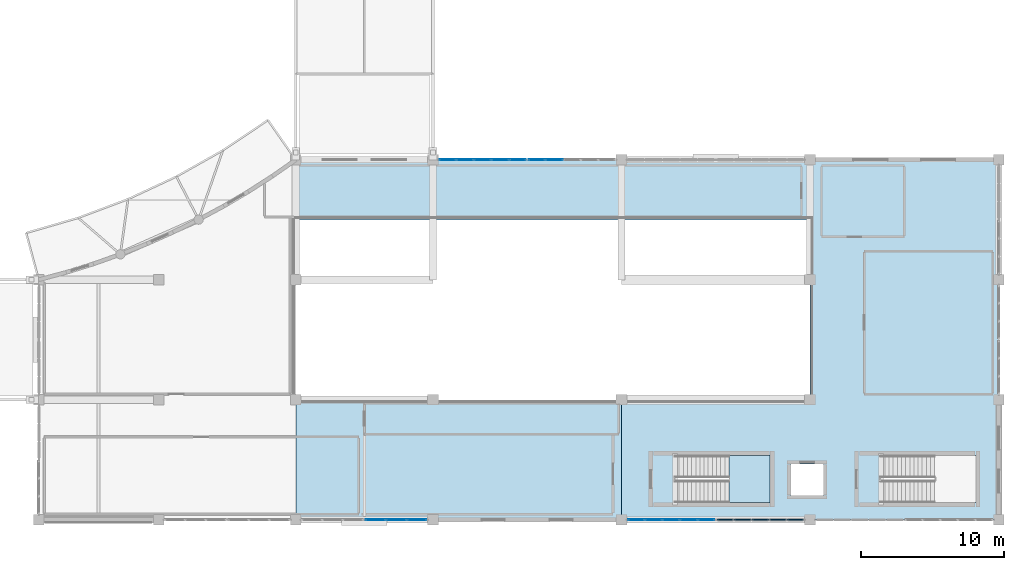
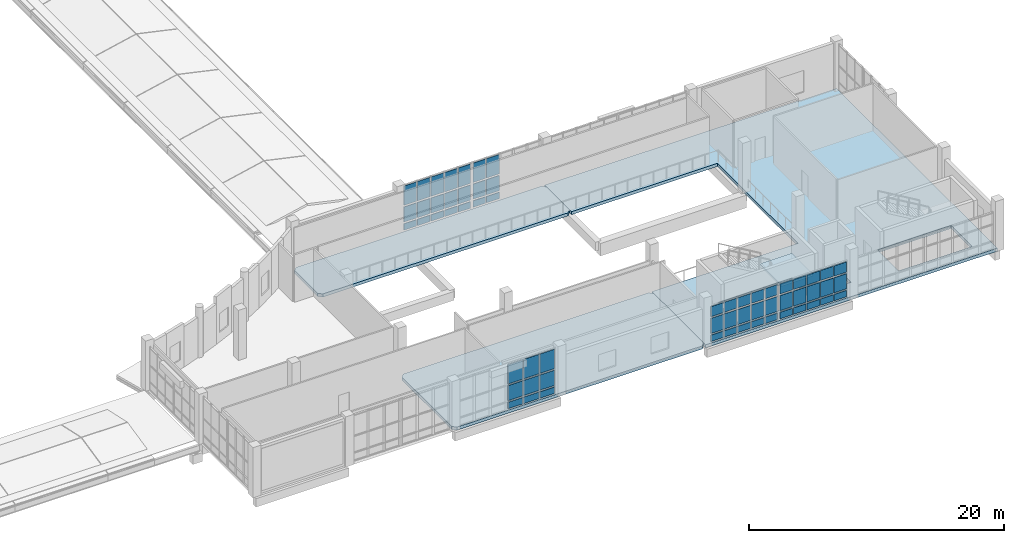
# One storey, part 74 of 106: 60 plates, 4 slabs, 6 elements without a shape of their own.
"""IFC4 building model written with IfcOpenShell, lengths in metres."""

from ifc_helpers import new_model, si_unit, direction, frame, origin, origin_2d, place, context, subcontext, project, spatial, polyline, rectangle, outline, extrude, material, layer, layer_set, type_object, element, aggregate, save


model = new_model("IFC4")

# Units and contexts
model_context = context("Model", 3, precision=1e-05, world=origin(), true_north=direction((0.0, 1.0)))
body_context = subcontext(model_context, "Body", "Model", "MODEL_VIEW")
ifc_project = project(units=[si_unit("LENGTHUNIT", "METRE"), si_unit("AREAUNIT", "SQUARE_METRE"), si_unit("VOLUMEUNIT", "CUBIC_METRE"), si_unit("PLANEANGLEUNIT", "RADIAN"), si_unit("MASSUNIT", "GRAM", prefix="KILO")], contexts=[model_context])

# Site, building, storey
site_placement = place(None, origin())
site = spatial("IfcSite", under=ifc_project, at=site_placement, CompositionType="ELEMENT")
building_placement = place(site_placement, origin())
building = spatial("IfcBuilding", under=site, at=building_placement, Name="Kisaragi Civic Commons", CompositionType="ELEMENT")
storey_placement = place(building_placement, frame((0.0, 0.0, 4.800048828125)))
storey = spatial("IfcBuildingStorey", under=building, at=storey_placement, Name="L01", CompositionType="ELEMENT", Elevation=4.800048828125)

# Curtain wall, plates
ifc_material_1 = material(Name="Thermally broken anodized aluminium and low-E double glazing", Category="aluminium")
ifc_layer_1 = layer(ifc_material_1, 0.2099609375, Name="Thermally broken anodized aluminium and low-E double glazing", Category="aluminium")
ifc_layer_set_1 = layer_set([ifc_layer_1], Name="Thermally broken anodized aluminium and low-E double glazing")
curtain_wall_type = type_object("IfcCurtainWallType", Name="CW-02", PredefinedType="NOTDEFINED", material=ifc_layer_set_1)
curtain_wall_1_placement = place(storey_placement, origin())
curtain_wall_1 = element("IfcCurtainWall", 1, at=curtain_wall_1_placement, inside=storey, type_object=curtain_wall_type, Name="L01 curtain wall CW-02 CW-V3-L01-030", PredefinedType="NOTDEFINED")
ifc_layer_2 = layer(ifc_material_1, 0.0439453125, Name="Thermally broken anodized aluminium and low-E double glazing", Category="aluminium")
ifc_layer_set_2 = layer_set([ifc_layer_2], Name="Thermally broken anodized aluminium and low-E double glazing")
plate_type_1 = type_object("IfcPlateType", Name="CWP-01", PredefinedType="CURTAIN_PANEL", material=ifc_layer_set_2)
plate_1_placement = place(storey_placement, frame((152.325439453125, 0.0, 0.15966796875), z_axis=(0.0, 0.0, 1.0), x_axis=(-1.0, 0.0, 0.0)))
plate_1 = element("IfcPlate", 2, at=plate_1_placement, type_object=plate_type_1, Name="CW-02 panel 1.1", PredefinedType="CURTAIN_PANEL", context=body_context, shape_type="SweptSolid", body=[
    extrude(rectangle(XDim=1.12890625, YDim=0.0439453125, at=origin_2d()), origin(), (0.0, 0.0, 1.0), 0.610107421875),
])
plate_2_placement = place(storey_placement, frame((152.325439453125, 0.0, 0.929931640625), z_axis=(0.0, 0.0, 1.0), x_axis=(-1.0, 0.0, 0.0)))
plate_2 = element("IfcPlate", 3, at=plate_2_placement, type_object=plate_type_1, Name="CW-02 panel 1.2", PredefinedType="CURTAIN_PANEL", context=body_context, shape_type="SweptSolid", body=[
    extrude(rectangle(XDim=1.12890625, YDim=0.0439453125, at=origin_2d()), origin(), (0.0, 0.0, 1.0), 1.43994140625),
])
plate_3_placement = place(storey_placement, frame((152.325439453125, 0.0, 2.52978515625), z_axis=(0.0, 0.0, 1.0), x_axis=(-1.0, 0.0, 0.0)))
plate_3 = element("IfcPlate", 4, at=plate_3_placement, type_object=plate_type_1, Name="CW-02 panel 1.3", PredefinedType="CURTAIN_PANEL", context=body_context, shape_type="SweptSolid", body=[
    extrude(rectangle(XDim=1.12890625, YDim=0.0439453125, at=origin_2d()), origin(), (0.0, 0.0, 1.0), 0.965087890625),
])
plate_4_placement = place(storey_placement, frame((151.10888671875, 0.0, 0.15966796875), z_axis=(0.0, 0.0, 1.0), x_axis=(-1.0, 0.0, 0.0)))
plate_4 = element("IfcPlate", 5, at=plate_4_placement, type_object=plate_type_1, Name="CW-02 panel 2.1", PredefinedType="CURTAIN_PANEL", context=body_context, shape_type="SweptSolid", body=[
    extrude(rectangle(XDim=1.1640625, YDim=0.0439453125, at=origin_2d()), origin(), (0.0, 0.0, 1.0), 0.610107421875),
])
plate_5_placement = place(storey_placement, frame((151.10888671875, 0.0, 0.929931640625), z_axis=(0.0, 0.0, 1.0), x_axis=(-1.0, 0.0, 0.0)))
plate_5 = element("IfcPlate", 6, at=plate_5_placement, type_object=plate_type_1, Name="CW-02 panel 2.2", PredefinedType="CURTAIN_PANEL", context=body_context, shape_type="SweptSolid", body=[
    extrude(rectangle(XDim=1.1640625, YDim=0.0439453125, at=origin_2d()), origin(), (0.0, 0.0, 1.0), 1.43994140625),
])
plate_6_placement = place(storey_placement, frame((151.10888671875, 0.0, 2.52978515625), z_axis=(0.0, 0.0, 1.0), x_axis=(-1.0, 0.0, 0.0)))
plate_6 = element("IfcPlate", 7, at=plate_6_placement, type_object=plate_type_1, Name="CW-02 panel 2.3", PredefinedType="CURTAIN_PANEL", context=body_context, shape_type="SweptSolid", body=[
    extrude(rectangle(XDim=1.1640625, YDim=0.0439453125, at=origin_2d()), origin(), (0.0, 0.0, 1.0), 0.965087890625),
])
plate_7_placement = place(storey_placement, frame((149.875, 0.0, 0.15966796875), z_axis=(0.0, 0.0, 1.0), x_axis=(-1.0, 0.0, 0.0)))
plate_7 = element("IfcPlate", 8, at=plate_7_placement, type_object=plate_type_1, Name="CW-02 panel 3.1", PredefinedType="CURTAIN_PANEL", context=body_context, shape_type="SweptSolid", body=[
    extrude(rectangle(XDim=1.1640625, YDim=0.0439453125, at=origin_2d()), origin(), (0.0, 0.0, 1.0), 0.610107421875),
])
plate_8_placement = place(storey_placement, frame((149.875, 0.0, 0.929931640625), z_axis=(0.0, 0.0, 1.0), x_axis=(-1.0, 0.0, 0.0)))
plate_8 = element("IfcPlate", 9, at=plate_8_placement, type_object=plate_type_1, Name="CW-02 panel 3.2", PredefinedType="CURTAIN_PANEL", context=body_context, shape_type="SweptSolid", body=[
    extrude(rectangle(XDim=1.1640625, YDim=0.0439453125, at=origin_2d()), origin(), (0.0, 0.0, 1.0), 1.43994140625),
])
plate_9_placement = place(storey_placement, frame((149.875, 0.0, 2.52978515625), z_axis=(0.0, 0.0, 1.0), x_axis=(-1.0, 0.0, 0.0)))
plate_9 = element("IfcPlate", 10, at=plate_9_placement, type_object=plate_type_1, Name="CW-02 panel 3.3", PredefinedType="CURTAIN_PANEL", context=body_context, shape_type="SweptSolid", body=[
    extrude(rectangle(XDim=1.1640625, YDim=0.0439453125, at=origin_2d()), origin(), (0.0, 0.0, 1.0), 0.965087890625),
])
plate_10_placement = place(storey_placement, frame((148.64111328125, 0.0, 0.15966796875), z_axis=(0.0, 0.0, 1.0), x_axis=(-1.0, 0.0, 0.0)))
plate_10 = element("IfcPlate", 11, at=plate_10_placement, type_object=plate_type_1, Name="CW-02 panel 4.1", PredefinedType="CURTAIN_PANEL", context=body_context, shape_type="SweptSolid", body=[
    extrude(rectangle(XDim=1.1640625, YDim=0.0439453125, at=origin_2d()), origin(), (0.0, 0.0, 1.0), 0.610107421875),
])
plate_11_placement = place(storey_placement, frame((148.64111328125, 0.0, 0.929931640625), z_axis=(0.0, 0.0, 1.0), x_axis=(-1.0, 0.0, 0.0)))
plate_11 = element("IfcPlate", 12, at=plate_11_placement, type_object=plate_type_1, Name="CW-02 panel 4.2", PredefinedType="CURTAIN_PANEL", context=body_context, shape_type="SweptSolid", body=[
    extrude(rectangle(XDim=1.1640625, YDim=0.0439453125, at=origin_2d()), origin(), (0.0, 0.0, 1.0), 1.43994140625),
])
plate_12_placement = place(storey_placement, frame((148.64111328125, 0.0, 2.52978515625), z_axis=(0.0, 0.0, 1.0), x_axis=(-1.0, 0.0, 0.0)))
plate_12 = element("IfcPlate", 13, at=plate_12_placement, type_object=plate_type_1, Name="CW-02 panel 4.3", PredefinedType="CURTAIN_PANEL", context=body_context, shape_type="SweptSolid", body=[
    extrude(rectangle(XDim=1.1640625, YDim=0.0439453125, at=origin_2d()), origin(), (0.0, 0.0, 1.0), 0.965087890625),
])
plate_13_placement = place(storey_placement, frame((147.424560546875, 0.0, 0.15966796875), z_axis=(0.0, 0.0, 1.0), x_axis=(-1.0, 0.0, 0.0)))
plate_13 = element("IfcPlate", 14, at=plate_13_placement, type_object=plate_type_1, Name="CW-02 panel 5.1", PredefinedType="CURTAIN_PANEL", context=body_context, shape_type="SweptSolid", body=[
    extrude(rectangle(XDim=1.12890625, YDim=0.0439453125, at=origin_2d()), origin(), (0.0, 0.0, 1.0), 0.610107421875),
])
plate_14_placement = place(storey_placement, frame((147.424560546875, 0.0, 0.929931640625), z_axis=(0.0, 0.0, 1.0), x_axis=(-1.0, 0.0, 0.0)))
plate_14 = element("IfcPlate", 15, at=plate_14_placement, type_object=plate_type_1, Name="CW-02 panel 5.2", PredefinedType="CURTAIN_PANEL", context=body_context, shape_type="SweptSolid", body=[
    extrude(rectangle(XDim=1.12890625, YDim=0.0439453125, at=origin_2d()), origin(), (0.0, 0.0, 1.0), 1.43994140625),
])
plate_15_placement = place(storey_placement, frame((147.424560546875, 0.0, 2.52978515625), z_axis=(0.0, 0.0, 1.0), x_axis=(-1.0, 0.0, 0.0)))
plate_15 = element("IfcPlate", 16, at=plate_15_placement, type_object=plate_type_1, Name="CW-02 panel 5.3", PredefinedType="CURTAIN_PANEL", context=body_context, shape_type="SweptSolid", body=[
    extrude(rectangle(XDim=1.12890625, YDim=0.0439453125, at=origin_2d()), origin(), (0.0, 0.0, 1.0), 0.965087890625),
])
aggregate(curtain_wall_1, [plate_1, plate_2, plate_3, plate_4, plate_5, plate_6, plate_7, plate_8, plate_9, plate_10, plate_11, plate_12, plate_13, plate_14, plate_15])

curtain_wall_2_placement = place(storey_placement, origin())
curtain_wall_2 = element("IfcCurtainWall", 17, at=curtain_wall_2_placement, inside=storey, type_object=curtain_wall_type, Name="L01 curtain wall CW-02 CW-V3-L01-031", PredefinedType="NOTDEFINED")
ifc_layer_3 = layer(ifc_material_1, 0.052001953125, Name="Thermally broken anodized aluminium and low-E double glazing", Category="aluminium")
ifc_layer_set_3 = layer_set([ifc_layer_3], Name="Thermally broken anodized aluminium and low-E double glazing")
plate_type_2 = type_object("IfcPlateType", Name="CWP-02", PredefinedType="CURTAIN_PANEL", material=ifc_layer_set_3)
plate_16_placement = place(storey_placement, frame((132.064208984375, 0.0, 0.15966796875), z_axis=(0.0, 0.0, 1.0), x_axis=(-1.0, 0.0, 0.0)))
plate_16 = element("IfcPlate", 18, at=plate_16_placement, type_object=plate_type_2, Name="CW-02 panel 1.1", PredefinedType="CURTAIN_PANEL", context=body_context, shape_type="SweptSolid", body=[
    extrude(rectangle(XDim=1.3515625, YDim=0.052001953125, at=origin_2d()), origin(), (0.0, 0.0, 1.0), 0.610107421875),
])
plate_17_placement = place(storey_placement, frame((132.064208984375, 0.0, 0.929931640625), z_axis=(0.0, 0.0, 1.0), x_axis=(-1.0, 0.0, 0.0)))
plate_17 = element("IfcPlate", 19, at=plate_17_placement, type_object=plate_type_2, Name="CW-02 panel 1.2", PredefinedType="CURTAIN_PANEL", context=body_context, shape_type="SweptSolid", body=[
    extrude(rectangle(XDim=1.3515625, YDim=0.052001953125, at=origin_2d()), origin(), (0.0, 0.0, 1.0), 1.43994140625),
])
plate_18_placement = place(storey_placement, frame((132.064208984375, 0.0, 2.52978515625), z_axis=(0.0, 0.0, 1.0), x_axis=(-1.0, 0.0, 0.0)))
plate_18 = element("IfcPlate", 20, at=plate_18_placement, type_object=plate_type_2, Name="CW-02 panel 1.3", PredefinedType="CURTAIN_PANEL", context=body_context, shape_type="SweptSolid", body=[
    extrude(rectangle(XDim=1.3515625, YDim=0.052001953125, at=origin_2d()), origin(), (0.0, 0.0, 1.0), 1.85009765625),
])
plate_19_placement = place(storey_placement, frame((130.625, 0.0, 0.15966796875), z_axis=(0.0, 0.0, 1.0), x_axis=(-1.0, 0.0, 0.0)))
plate_19 = element("IfcPlate", 21, at=plate_19_placement, type_object=plate_type_2, Name="CW-02 panel 2.1", PredefinedType="CURTAIN_PANEL", context=body_context, shape_type="SweptSolid", body=[
    extrude(rectangle(XDim=1.38671875, YDim=0.052001953125, at=origin_2d()), origin(), (0.0, 0.0, 1.0), 0.610107421875),
])
plate_20_placement = place(storey_placement, frame((130.625, 0.0, 0.929931640625), z_axis=(0.0, 0.0, 1.0), x_axis=(-1.0, 0.0, 0.0)))
plate_20 = element("IfcPlate", 22, at=plate_20_placement, type_object=plate_type_2, Name="CW-02 panel 2.2", PredefinedType="CURTAIN_PANEL", context=body_context, shape_type="SweptSolid", body=[
    extrude(rectangle(XDim=1.38671875, YDim=0.052001953125, at=origin_2d()), origin(), (0.0, 0.0, 1.0), 1.43994140625),
])
plate_21_placement = place(storey_placement, frame((130.625, 0.0, 2.52978515625), z_axis=(0.0, 0.0, 1.0), x_axis=(-1.0, 0.0, 0.0)))
plate_21 = element("IfcPlate", 23, at=plate_21_placement, type_object=plate_type_2, Name="CW-02 panel 2.3", PredefinedType="CURTAIN_PANEL", context=body_context, shape_type="SweptSolid", body=[
    extrude(rectangle(XDim=1.38671875, YDim=0.052001953125, at=origin_2d()), origin(), (0.0, 0.0, 1.0), 1.85009765625),
])
plate_22_placement = place(storey_placement, frame((129.185791015625, 0.0, 0.15966796875), z_axis=(0.0, 0.0, 1.0), x_axis=(-1.0, 0.0, 0.0)))
plate_22 = element("IfcPlate", 24, at=plate_22_placement, type_object=plate_type_2, Name="CW-02 panel 3.1", PredefinedType="CURTAIN_PANEL", context=body_context, shape_type="SweptSolid", body=[
    extrude(rectangle(XDim=1.3515625, YDim=0.052001953125, at=origin_2d()), origin(), (0.0, 0.0, 1.0), 0.610107421875),
])
plate_23_placement = place(storey_placement, frame((129.185791015625, 0.0, 0.929931640625), z_axis=(0.0, 0.0, 1.0), x_axis=(-1.0, 0.0, 0.0)))
plate_23 = element("IfcPlate", 25, at=plate_23_placement, type_object=plate_type_2, Name="CW-02 panel 3.2", PredefinedType="CURTAIN_PANEL", context=body_context, shape_type="SweptSolid", body=[
    extrude(rectangle(XDim=1.3515625, YDim=0.052001953125, at=origin_2d()), origin(), (0.0, 0.0, 1.0), 1.43994140625),
])
plate_24_placement = place(storey_placement, frame((129.185791015625, 0.0, 2.52978515625), z_axis=(0.0, 0.0, 1.0), x_axis=(-1.0, 0.0, 0.0)))
plate_24 = element("IfcPlate", 26, at=plate_24_placement, type_object=plate_type_2, Name="CW-02 panel 3.3", PredefinedType="CURTAIN_PANEL", context=body_context, shape_type="SweptSolid", body=[
    extrude(rectangle(XDim=1.3515625, YDim=0.052001953125, at=origin_2d()), origin(), (0.0, 0.0, 1.0), 1.85009765625),
])
aggregate(curtain_wall_2, [plate_16, plate_17, plate_18, plate_19, plate_20, plate_21, plate_22, plate_23, plate_24])

curtain_wall_3_placement = place(storey_placement, origin())
curtain_wall_3 = element("IfcCurtainWall", 27, at=curtain_wall_3_placement, inside=storey, type_object=curtain_wall_type, Name="L01 curtain wall CW-02 CW-V3-L01-019", PredefinedType="NOTDEFINED")
ifc_layer_4 = layer(ifc_material_1, 0.055908203125, Name="Thermally broken anodized aluminium and low-E double glazing", Category="aluminium")
ifc_layer_set_4 = layer_set([ifc_layer_4], Name="Thermally broken anodized aluminium and low-E double glazing")
plate_type_3 = type_object("IfcPlateType", Name="CWP-06", PredefinedType="CURTAIN_PANEL", material=ifc_layer_set_4)
plate_25_placement = place(storey_placement, frame((134.224609375, 25.199951171875, 0.15966796875), z_axis=(0.0, 0.0, 1.0), x_axis=(1.0, 0.0, 0.0)))
plate_25 = element("IfcPlate", 28, at=plate_25_placement, type_object=plate_type_3, Name="CW-02 panel 1.1", PredefinedType="CURTAIN_PANEL", context=body_context, shape_type="SweptSolid", body=[
    extrude(rectangle(XDim=1.12890625, YDim=0.055908203125, at=origin_2d()), origin(), (0.0, 0.0, 1.0), 0.610107421875),
])
plate_26_placement = place(storey_placement, frame((134.224609375, 25.199951171875, 0.929931640625), z_axis=(0.0, 0.0, 1.0), x_axis=(1.0, 0.0, 0.0)))
plate_26 = element("IfcPlate", 29, at=plate_26_placement, type_object=plate_type_3, Name="CW-02 panel 1.2", PredefinedType="CURTAIN_PANEL", context=body_context, shape_type="SweptSolid", body=[
    extrude(rectangle(XDim=1.12890625, YDim=0.055908203125, at=origin_2d()), origin(), (0.0, 0.0, 1.0), 1.43994140625),
])
plate_27_placement = place(storey_placement, frame((134.224609375, 25.199951171875, 2.52978515625), z_axis=(0.0, 0.0, 1.0), x_axis=(1.0, 0.0, 0.0)))
plate_27 = element("IfcPlate", 30, at=plate_27_placement, type_object=plate_type_3, Name="CW-02 panel 1.3", PredefinedType="CURTAIN_PANEL", context=body_context, shape_type="SweptSolid", body=[
    extrude(rectangle(XDim=1.12890625, YDim=0.055908203125, at=origin_2d()), origin(), (0.0, 0.0, 1.0), 1.85009765625),
])
plate_28_placement = place(storey_placement, frame((135.44091796875, 25.199951171875, 0.15966796875), z_axis=(0.0, 0.0, 1.0), x_axis=(1.0, 0.0, 0.0)))
plate_28 = element("IfcPlate", 31, at=plate_28_placement, type_object=plate_type_3, Name="CW-02 panel 2.1", PredefinedType="CURTAIN_PANEL", context=body_context, shape_type="SweptSolid", body=[
    extrude(rectangle(XDim=1.1640625, YDim=0.055908203125, at=origin_2d()), origin(), (0.0, 0.0, 1.0), 0.610107421875),
])
plate_29_placement = place(storey_placement, frame((135.44091796875, 25.199951171875, 0.929931640625), z_axis=(0.0, 0.0, 1.0), x_axis=(1.0, 0.0, 0.0)))
plate_29 = element("IfcPlate", 32, at=plate_29_placement, type_object=plate_type_3, Name="CW-02 panel 2.2", PredefinedType="CURTAIN_PANEL", context=body_context, shape_type="SweptSolid", body=[
    extrude(rectangle(XDim=1.1640625, YDim=0.055908203125, at=origin_2d()), origin(), (0.0, 0.0, 1.0), 1.43994140625),
])
plate_30_placement = place(storey_placement, frame((135.44091796875, 25.199951171875, 2.52978515625), z_axis=(0.0, 0.0, 1.0), x_axis=(1.0, 0.0, 0.0)))
plate_30 = element("IfcPlate", 33, at=plate_30_placement, type_object=plate_type_3, Name="CW-02 panel 2.3", PredefinedType="CURTAIN_PANEL", context=body_context, shape_type="SweptSolid", body=[
    extrude(rectangle(XDim=1.1640625, YDim=0.055908203125, at=origin_2d()), origin(), (0.0, 0.0, 1.0), 1.85009765625),
])
plate_31_placement = place(storey_placement, frame((136.675048828125, 25.199951171875, 0.15966796875), z_axis=(0.0, 0.0, 1.0), x_axis=(1.0, 0.0, 0.0)))
plate_31 = element("IfcPlate", 34, at=plate_31_placement, type_object=plate_type_3, Name="CW-02 panel 3.1", PredefinedType="CURTAIN_PANEL", context=body_context, shape_type="SweptSolid", body=[
    extrude(rectangle(XDim=1.1640625, YDim=0.055908203125, at=origin_2d()), origin(), (0.0, 0.0, 1.0), 0.610107421875),
])
plate_32_placement = place(storey_placement, frame((136.675048828125, 25.199951171875, 0.929931640625), z_axis=(0.0, 0.0, 1.0), x_axis=(1.0, 0.0, 0.0)))
plate_32 = element("IfcPlate", 35, at=plate_32_placement, type_object=plate_type_3, Name="CW-02 panel 3.2", PredefinedType="CURTAIN_PANEL", context=body_context, shape_type="SweptSolid", body=[
    extrude(rectangle(XDim=1.1640625, YDim=0.055908203125, at=origin_2d()), origin(), (0.0, 0.0, 1.0), 1.43994140625),
])
plate_33_placement = place(storey_placement, frame((136.675048828125, 25.199951171875, 2.52978515625), z_axis=(0.0, 0.0, 1.0), x_axis=(1.0, 0.0, 0.0)))
plate_33 = element("IfcPlate", 36, at=plate_33_placement, type_object=plate_type_3, Name="CW-02 panel 3.3", PredefinedType="CURTAIN_PANEL", context=body_context, shape_type="SweptSolid", body=[
    extrude(rectangle(XDim=1.1640625, YDim=0.055908203125, at=origin_2d()), origin(), (0.0, 0.0, 1.0), 1.85009765625),
])
plate_34_placement = place(storey_placement, frame((137.908935546875, 25.199951171875, 0.15966796875), z_axis=(0.0, 0.0, 1.0), x_axis=(1.0, 0.0, 0.0)))
plate_34 = element("IfcPlate", 37, at=plate_34_placement, type_object=plate_type_3, Name="CW-02 panel 4.1", PredefinedType="CURTAIN_PANEL", context=body_context, shape_type="SweptSolid", body=[
    extrude(rectangle(XDim=1.1640625, YDim=0.055908203125, at=origin_2d()), origin(), (0.0, 0.0, 1.0), 0.610107421875),
])
plate_35_placement = place(storey_placement, frame((137.908935546875, 25.199951171875, 0.929931640625), z_axis=(0.0, 0.0, 1.0), x_axis=(1.0, 0.0, 0.0)))
plate_35 = element("IfcPlate", 38, at=plate_35_placement, type_object=plate_type_3, Name="CW-02 panel 4.2", PredefinedType="CURTAIN_PANEL", context=body_context, shape_type="SweptSolid", body=[
    extrude(rectangle(XDim=1.1640625, YDim=0.055908203125, at=origin_2d()), origin(), (0.0, 0.0, 1.0), 1.43994140625),
])
plate_36_placement = place(storey_placement, frame((137.908935546875, 25.199951171875, 2.52978515625), z_axis=(0.0, 0.0, 1.0), x_axis=(1.0, 0.0, 0.0)))
plate_36 = element("IfcPlate", 39, at=plate_36_placement, type_object=plate_type_3, Name="CW-02 panel 4.3", PredefinedType="CURTAIN_PANEL", context=body_context, shape_type="SweptSolid", body=[
    extrude(rectangle(XDim=1.1640625, YDim=0.055908203125, at=origin_2d()), origin(), (0.0, 0.0, 1.0), 1.85009765625),
])
plate_37_placement = place(storey_placement, frame((139.12548828125, 25.199951171875, 0.15966796875), z_axis=(0.0, 0.0, 1.0), x_axis=(1.0, 0.0, 0.0)))
plate_37 = element("IfcPlate", 40, at=plate_37_placement, type_object=plate_type_3, Name="CW-02 panel 5.1", PredefinedType="CURTAIN_PANEL", context=body_context, shape_type="SweptSolid", body=[
    extrude(rectangle(XDim=1.12890625, YDim=0.055908203125, at=origin_2d()), origin(), (0.0, 0.0, 1.0), 0.610107421875),
])
plate_38_placement = place(storey_placement, frame((139.12548828125, 25.199951171875, 0.929931640625), z_axis=(0.0, 0.0, 1.0), x_axis=(1.0, 0.0, 0.0)))
plate_38 = element("IfcPlate", 41, at=plate_38_placement, type_object=plate_type_3, Name="CW-02 panel 5.2", PredefinedType="CURTAIN_PANEL", context=body_context, shape_type="SweptSolid", body=[
    extrude(rectangle(XDim=1.12890625, YDim=0.055908203125, at=origin_2d()), origin(), (0.0, 0.0, 1.0), 1.43994140625),
])
plate_39_placement = place(storey_placement, frame((139.12548828125, 25.199951171875, 2.52978515625), z_axis=(0.0, 0.0, 1.0), x_axis=(1.0, 0.0, 0.0)))
plate_39 = element("IfcPlate", 42, at=plate_39_placement, type_object=plate_type_3, Name="CW-02 panel 5.3", PredefinedType="CURTAIN_PANEL", context=body_context, shape_type="SweptSolid", body=[
    extrude(rectangle(XDim=1.12890625, YDim=0.055908203125, at=origin_2d()), origin(), (0.0, 0.0, 1.0), 1.85009765625),
])
aggregate(curtain_wall_3, [plate_25, plate_26, plate_27, plate_28, plate_29, plate_30, plate_31, plate_32, plate_33, plate_34, plate_35, plate_36, plate_37, plate_38, plate_39])

curtain_wall_4_placement = place(storey_placement, origin())
curtain_wall_4 = element("IfcCurtainWall", 43, at=curtain_wall_4_placement, inside=storey, type_object=curtain_wall_type, Name="L01 curtain wall CW-02 CW-V3-L01-020", PredefinedType="NOTDEFINED")
ifc_layer_5 = layer(ifc_material_1, 0.06005859375, Name="Thermally broken anodized aluminium and low-E double glazing", Category="aluminium")
ifc_layer_set_5 = layer_set([ifc_layer_5], Name="Thermally broken anodized aluminium and low-E double glazing")
plate_type_4 = type_object("IfcPlateType", Name="CWP-07", PredefinedType="CURTAIN_PANEL", material=ifc_layer_set_5)
plate_40_placement = place(storey_placement, frame((140.474609375, 25.199951171875, 0.15966796875), z_axis=(0.0, 0.0, 1.0), x_axis=(1.0, 0.0, 0.0)))
plate_40 = element("IfcPlate", 44, at=plate_40_placement, type_object=plate_type_4, Name="CW-02 panel 1.1", PredefinedType="CURTAIN_PANEL", context=body_context, shape_type="SweptSolid", body=[
    extrude(rectangle(XDim=1.12890625, YDim=0.06005859375, at=origin_2d()), origin(), (0.0, 0.0, 1.0), 0.610107421875),
])
plate_41_placement = place(storey_placement, frame((140.474609375, 25.199951171875, 0.929931640625), z_axis=(0.0, 0.0, 1.0), x_axis=(1.0, 0.0, 0.0)))
plate_41 = element("IfcPlate", 45, at=plate_41_placement, type_object=plate_type_4, Name="CW-02 panel 1.2", PredefinedType="CURTAIN_PANEL", context=body_context, shape_type="SweptSolid", body=[
    extrude(rectangle(XDim=1.12890625, YDim=0.06005859375, at=origin_2d()), origin(), (0.0, 0.0, 1.0), 1.43994140625),
])
plate_42_placement = place(storey_placement, frame((140.474609375, 25.199951171875, 2.52978515625), z_axis=(0.0, 0.0, 1.0), x_axis=(1.0, 0.0, 0.0)))
plate_42 = element("IfcPlate", 46, at=plate_42_placement, type_object=plate_type_4, Name="CW-02 panel 1.3", PredefinedType="CURTAIN_PANEL", context=body_context, shape_type="SweptSolid", body=[
    extrude(rectangle(XDim=1.12890625, YDim=0.06005859375, at=origin_2d()), origin(), (0.0, 0.0, 1.0), 1.85009765625),
])
plate_43_placement = place(storey_placement, frame((141.69091796875, 25.199951171875, 0.15966796875), z_axis=(0.0, 0.0, 1.0), x_axis=(1.0, 0.0, 0.0)))
plate_43 = element("IfcPlate", 47, at=plate_43_placement, type_object=plate_type_4, Name="CW-02 panel 2.1", PredefinedType="CURTAIN_PANEL", context=body_context, shape_type="SweptSolid", body=[
    extrude(rectangle(XDim=1.1640625, YDim=0.06005859375, at=origin_2d()), origin(), (0.0, 0.0, 1.0), 0.610107421875),
])
plate_44_placement = place(storey_placement, frame((141.69091796875, 25.199951171875, 0.929931640625), z_axis=(0.0, 0.0, 1.0), x_axis=(1.0, 0.0, 0.0)))
plate_44 = element("IfcPlate", 48, at=plate_44_placement, type_object=plate_type_4, Name="CW-02 panel 2.2", PredefinedType="CURTAIN_PANEL", context=body_context, shape_type="SweptSolid", body=[
    extrude(rectangle(XDim=1.1640625, YDim=0.06005859375, at=origin_2d()), origin(), (0.0, 0.0, 1.0), 1.43994140625),
])
plate_45_placement = place(storey_placement, frame((141.69091796875, 25.199951171875, 2.52978515625), z_axis=(0.0, 0.0, 1.0), x_axis=(1.0, 0.0, 0.0)))
plate_45 = element("IfcPlate", 49, at=plate_45_placement, type_object=plate_type_4, Name="CW-02 panel 2.3", PredefinedType="CURTAIN_PANEL", context=body_context, shape_type="SweptSolid", body=[
    extrude(rectangle(XDim=1.1640625, YDim=0.06005859375, at=origin_2d()), origin(), (0.0, 0.0, 1.0), 1.85009765625),
])
aggregate(curtain_wall_4, [plate_40, plate_41, plate_42, plate_43, plate_44, plate_45])

curtain_wall_5_placement = place(storey_placement, origin())
curtain_wall_5 = element("IfcCurtainWall", 50, at=curtain_wall_5_placement, inside=storey, type_object=curtain_wall_type, Name="L01 curtain wall CW-02 CW-V3-L01-029", PredefinedType="NOTDEFINED")
ifc_layer_6 = layer(ifc_material_1, 0.077880859375, Name="Thermally broken anodized aluminium and low-E double glazing", Category="aluminium")
ifc_layer_set_6 = layer_set([ifc_layer_6], Name="Thermally broken anodized aluminium and low-E double glazing")
plate_type_5 = type_object("IfcPlateType", Name="CWP-18", PredefinedType="CURTAIN_PANEL", material=ifc_layer_set_6)
plate_46_placement = place(storey_placement, frame((158.575439453125, 0.0, 0.15966796875), z_axis=(0.0, 0.0, 1.0), x_axis=(-1.0, 0.0, 0.0)))
plate_46 = element("IfcPlate", 51, at=plate_46_placement, type_object=plate_type_5, Name="CW-02 panel 1.1", PredefinedType="CURTAIN_PANEL", context=body_context, shape_type="SweptSolid", body=[
    extrude(rectangle(XDim=1.12890625, YDim=0.077880859375, at=origin_2d()), origin(), (0.0, 0.0, 1.0), 0.610107421875),
])
plate_47_placement = place(storey_placement, frame((158.575439453125, 0.0, 0.929931640625), z_axis=(0.0, 0.0, 1.0), x_axis=(-1.0, 0.0, 0.0)))
plate_47 = element("IfcPlate", 52, at=plate_47_placement, type_object=plate_type_5, Name="CW-02 panel 1.2", PredefinedType="CURTAIN_PANEL", context=body_context, shape_type="SweptSolid", body=[
    extrude(rectangle(XDim=1.12890625, YDim=0.077880859375, at=origin_2d()), origin(), (0.0, 0.0, 1.0), 1.43994140625),
])
plate_48_placement = place(storey_placement, frame((158.575439453125, 0.0, 2.52978515625), z_axis=(0.0, 0.0, 1.0), x_axis=(-1.0, 0.0, 0.0)))
plate_48 = element("IfcPlate", 53, at=plate_48_placement, type_object=plate_type_5, Name="CW-02 panel 1.3", PredefinedType="CURTAIN_PANEL", context=body_context, shape_type="SweptSolid", body=[
    extrude(rectangle(XDim=1.12890625, YDim=0.077880859375, at=origin_2d()), origin(), (0.0, 0.0, 1.0), 0.965087890625),
])
plate_49_placement = place(storey_placement, frame((157.35888671875, 0.0, 0.15966796875), z_axis=(0.0, 0.0, 1.0), x_axis=(-1.0, 0.0, 0.0)))
plate_49 = element("IfcPlate", 54, at=plate_49_placement, type_object=plate_type_5, Name="CW-02 panel 2.1", PredefinedType="CURTAIN_PANEL", context=body_context, shape_type="SweptSolid", body=[
    extrude(rectangle(XDim=1.1640625, YDim=0.077880859375, at=origin_2d()), origin(), (0.0, 0.0, 1.0), 0.610107421875),
])
plate_50_placement = place(storey_placement, frame((157.35888671875, 0.0, 0.929931640625), z_axis=(0.0, 0.0, 1.0), x_axis=(-1.0, 0.0, 0.0)))
plate_50 = element("IfcPlate", 55, at=plate_50_placement, type_object=plate_type_5, Name="CW-02 panel 2.2", PredefinedType="CURTAIN_PANEL", context=body_context, shape_type="SweptSolid", body=[
    extrude(rectangle(XDim=1.1640625, YDim=0.077880859375, at=origin_2d()), origin(), (0.0, 0.0, 1.0), 1.43994140625),
])
plate_51_placement = place(storey_placement, frame((157.35888671875, 0.0, 2.52978515625), z_axis=(0.0, 0.0, 1.0), x_axis=(-1.0, 0.0, 0.0)))
plate_51 = element("IfcPlate", 56, at=plate_51_placement, type_object=plate_type_5, Name="CW-02 panel 2.3", PredefinedType="CURTAIN_PANEL", context=body_context, shape_type="SweptSolid", body=[
    extrude(rectangle(XDim=1.1640625, YDim=0.077880859375, at=origin_2d()), origin(), (0.0, 0.0, 1.0), 0.965087890625),
])
plate_52_placement = place(storey_placement, frame((156.125, 0.0, 0.15966796875), z_axis=(0.0, 0.0, 1.0), x_axis=(-1.0, 0.0, 0.0)))
plate_52 = element("IfcPlate", 57, at=plate_52_placement, type_object=plate_type_5, Name="CW-02 panel 3.1", PredefinedType="CURTAIN_PANEL", context=body_context, shape_type="SweptSolid", body=[
    extrude(rectangle(XDim=1.1640625, YDim=0.077880859375, at=origin_2d()), origin(), (0.0, 0.0, 1.0), 0.610107421875),
])
plate_53_placement = place(storey_placement, frame((156.125, 0.0, 0.929931640625), z_axis=(0.0, 0.0, 1.0), x_axis=(-1.0, 0.0, 0.0)))
plate_53 = element("IfcPlate", 58, at=plate_53_placement, type_object=plate_type_5, Name="CW-02 panel 3.2", PredefinedType="CURTAIN_PANEL", context=body_context, shape_type="SweptSolid", body=[
    extrude(rectangle(XDim=1.1640625, YDim=0.077880859375, at=origin_2d()), origin(), (0.0, 0.0, 1.0), 1.43994140625),
])
plate_54_placement = place(storey_placement, frame((156.125, 0.0, 2.52978515625), z_axis=(0.0, 0.0, 1.0), x_axis=(-1.0, 0.0, 0.0)))
plate_54 = element("IfcPlate", 59, at=plate_54_placement, type_object=plate_type_5, Name="CW-02 panel 3.3", PredefinedType="CURTAIN_PANEL", context=body_context, shape_type="SweptSolid", body=[
    extrude(rectangle(XDim=1.1640625, YDim=0.077880859375, at=origin_2d()), origin(), (0.0, 0.0, 1.0), 0.965087890625),
])
plate_55_placement = place(storey_placement, frame((154.89111328125, 0.0, 0.15966796875), z_axis=(0.0, 0.0, 1.0), x_axis=(-1.0, 0.0, 0.0)))
plate_55 = element("IfcPlate", 60, at=plate_55_placement, type_object=plate_type_5, Name="CW-02 panel 4.1", PredefinedType="CURTAIN_PANEL", context=body_context, shape_type="SweptSolid", body=[
    extrude(rectangle(XDim=1.1640625, YDim=0.077880859375, at=origin_2d()), origin(), (0.0, 0.0, 1.0), 0.610107421875),
])
plate_56_placement = place(storey_placement, frame((154.89111328125, 0.0, 0.929931640625), z_axis=(0.0, 0.0, 1.0), x_axis=(-1.0, 0.0, 0.0)))
plate_56 = element("IfcPlate", 61, at=plate_56_placement, type_object=plate_type_5, Name="CW-02 panel 4.2", PredefinedType="CURTAIN_PANEL", context=body_context, shape_type="SweptSolid", body=[
    extrude(rectangle(XDim=1.1640625, YDim=0.077880859375, at=origin_2d()), origin(), (0.0, 0.0, 1.0), 1.43994140625),
])
plate_57_placement = place(storey_placement, frame((154.89111328125, 0.0, 2.52978515625), z_axis=(0.0, 0.0, 1.0), x_axis=(-1.0, 0.0, 0.0)))
plate_57 = element("IfcPlate", 62, at=plate_57_placement, type_object=plate_type_5, Name="CW-02 panel 4.3", PredefinedType="CURTAIN_PANEL", context=body_context, shape_type="SweptSolid", body=[
    extrude(rectangle(XDim=1.1640625, YDim=0.077880859375, at=origin_2d()), origin(), (0.0, 0.0, 1.0), 0.965087890625),
])
plate_58_placement = place(storey_placement, frame((153.674560546875, 0.0, 0.15966796875), z_axis=(0.0, 0.0, 1.0), x_axis=(-1.0, 0.0, 0.0)))
plate_58 = element("IfcPlate", 63, at=plate_58_placement, type_object=plate_type_5, Name="CW-02 panel 5.1", PredefinedType="CURTAIN_PANEL", context=body_context, shape_type="SweptSolid", body=[
    extrude(rectangle(XDim=1.12890625, YDim=0.077880859375, at=origin_2d()), origin(), (0.0, 0.0, 1.0), 0.610107421875),
])
plate_59_placement = place(storey_placement, frame((153.674560546875, 0.0, 0.929931640625), z_axis=(0.0, 0.0, 1.0), x_axis=(-1.0, 0.0, 0.0)))
plate_59 = element("IfcPlate", 64, at=plate_59_placement, type_object=plate_type_5, Name="CW-02 panel 5.2", PredefinedType="CURTAIN_PANEL", context=body_context, shape_type="SweptSolid", body=[
    extrude(rectangle(XDim=1.12890625, YDim=0.077880859375, at=origin_2d()), origin(), (0.0, 0.0, 1.0), 1.43994140625),
])
plate_60_placement = place(storey_placement, frame((153.674560546875, 0.0, 2.52978515625), z_axis=(0.0, 0.0, 1.0), x_axis=(-1.0, 0.0, 0.0)))
plate_60 = element("IfcPlate", 65, at=plate_60_placement, type_object=plate_type_5, Name="CW-02 panel 5.3", PredefinedType="CURTAIN_PANEL", context=body_context, shape_type="SweptSolid", body=[
    extrude(rectangle(XDim=1.12890625, YDim=0.077880859375, at=origin_2d()), origin(), (0.0, 0.0, 1.0), 0.965087890625),
])
aggregate(curtain_wall_5, [plate_46, plate_47, plate_48, plate_49, plate_50, plate_51, plate_52, plate_53, plate_54, plate_55, plate_56, plate_57, plate_58, plate_59, plate_60])

# Slabs
ifc_material_2 = material(Name="Concrete Fc30", Category="concrete")
ifc_layer_7 = layer(ifc_material_2, 0.2919921875, Name="Concrete Fc30", Category="concrete")
ifc_layer_set_7 = layer_set([ifc_layer_7], Name="Concrete Fc30")
slab_type_1 = type_object("IfcSlabType", Name="SL-F1B", PredefinedType="FLOOR", material=ifc_layer_set_7)
slab_1_placement = place(storey_placement, frame((0.0, 0.0, -0.2919921875)))
element("IfcSlab", 66, at=slab_1_placement, inside=storey, type_object=slab_type_1, Name="V3 L01 slab SL-F1B 26", PredefinedType="FLOOR", context=body_context, shape_type="SweptSolid", body=[
    extrude(outline(polyline([(123.89990234375, 21.0), (146.10009765625, 21.0), (146.39990234375, 21.300048828125), (146.39990234375, 24.89990234375), (146.10009765625, 25.199951171875), (123.89990234375, 25.199951171875), (123.60009765625, 24.89990234375), (123.60009765625, 21.300048828125), (123.89990234375, 21.0)])), origin(), (0.0, 0.0, 1.0), 0.2919921875),
])
slab_2_placement = place(storey_placement, frame((0.0, 0.0, -0.2919921875)))
element("IfcSlab", 67, at=slab_2_placement, inside=storey, type_object=slab_type_1, Name="V3 L01 slab SL-F1B 27", PredefinedType="FLOOR", context=body_context, shape_type="SweptSolid", body=[
    extrude(outline(polyline([(123.89990234375, 0.0), (146.10009765625, 0.0), (146.39990234375, 0.300048828125), (146.39990234375, 8.10009765625), (146.10009765625, 8.39990234375), (123.89990234375, 8.39990234375), (123.60009765625, 8.10009765625), (123.60009765625, 0.300048828125), (123.89990234375, 0.0)])), origin(), (0.0, 0.0, 1.0), 0.2919921875),
])
slab_3_placement = place(storey_placement, frame((0.0, 0.0, -0.2919921875)))
element("IfcSlab", 68, at=slab_3_placement, inside=storey, type_object=slab_type_1, Name="V3 L01 slab SL-F1B 28", PredefinedType="FLOOR", context=body_context, shape_type="SweptSolid", body=[
    extrude(outline(polyline([(146.39990234375, 25.199951171875), (146.39990234375, 21.0), (159.60009765625, 21.0), (159.60009765625, 8.39990234375), (146.39990234375, 8.39990234375), (146.39990234375, 0.0), (172.800048828125, 0.0), (172.800048828125, 25.199951171875), (146.39990234375, 25.199951171875)]), holes=[polyline([(158.25, 1.699951171875), (160.550048828125, 1.699951171875), (160.550048828125, 3.89990234375), (158.25, 3.89990234375), (158.25, 1.699951171875)]), polyline([(150.14990234375, 1.199951171875), (156.800048828125, 1.199951171875), (156.800048828125, 4.5), (150.14990234375, 4.5), (150.14990234375, 1.199951171875)]), polyline([(164.550048828125, 1.199951171875), (171.199951171875, 1.199951171875), (171.199951171875, 4.5), (164.550048828125, 4.5), (164.550048828125, 1.199951171875)])]), origin(), (0.0, 0.0, 1.0), 0.2919921875),
])

# Stair, slab
stair_type = type_object("IfcStairType", Name="ST-A", PredefinedType="HALF_TURN_STAIR", material=ifc_material_2)
stair_placement = place(storey_placement, origin())
stair = element("IfcStair", 69, at=stair_placement, inside=storey, type_object=stair_type, Name="L01 Stair ST-D1", PredefinedType="HALF_TURN_STAIR")
ifc_layer_8 = layer(ifc_material_2, 0.199951171875, Name="Concrete Fc30", Category="concrete")
ifc_layer_set_8 = layer_set([ifc_layer_8], Name="Concrete Fc30")
slab_type_2 = type_object("IfcSlabType", Name="STL-01", PredefinedType="LANDING", material=ifc_layer_set_8)
slab_4_placement = place(storey_placement, frame((0.0, 0.0, 2.199951171875)))
slab_4 = element("IfcSlab", 70, at=slab_4_placement, type_object=slab_type_2, Name="ST-D1 landing 1", PredefinedType="LANDING", context=body_context, shape_type="SweptSolid", body=[
    extrude(outline(polyline([(153.919921875, 1.199951171875), (156.800048828125, 1.199951171875), (156.800048828125, 4.5), (153.919921875, 4.5), (153.919921875, 1.199951171875)])), origin(), (0.0, 0.0, 1.0), 0.199951171875),
])
aggregate(stair, [slab_4])

save(model, "model.ifc")
